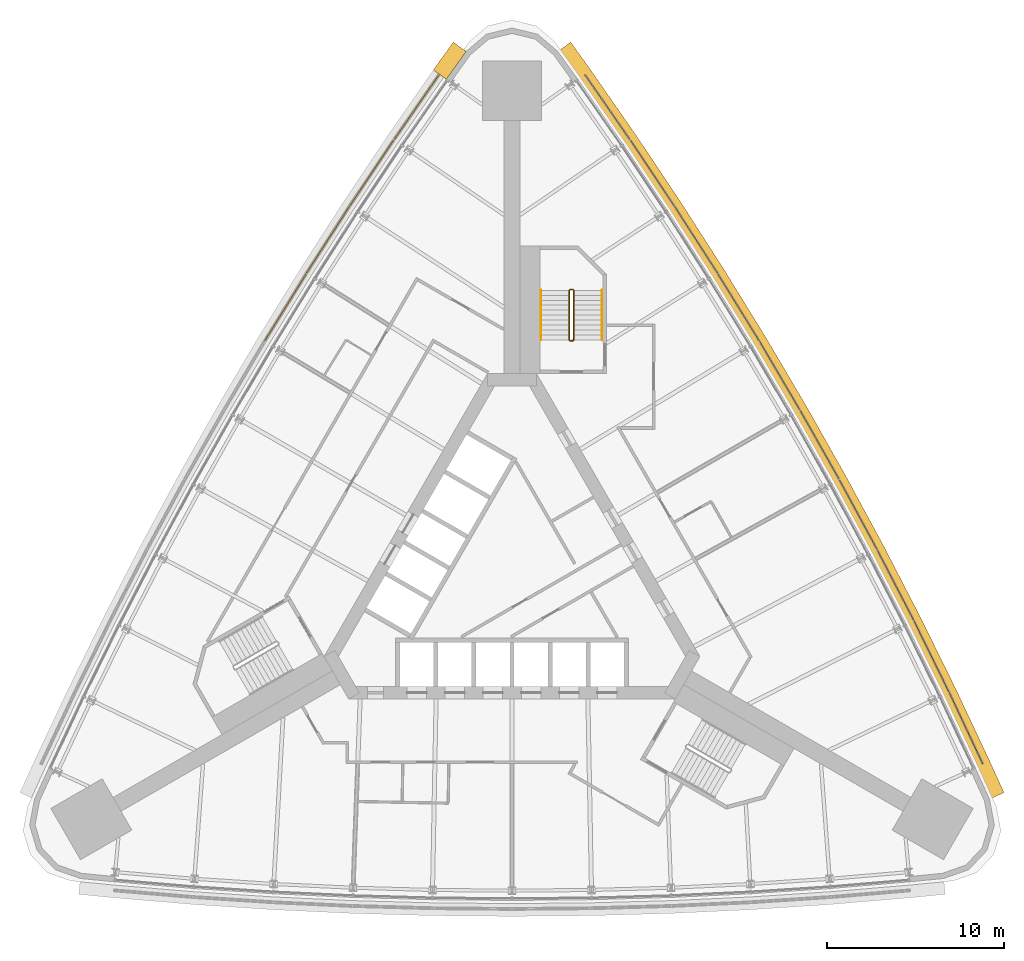
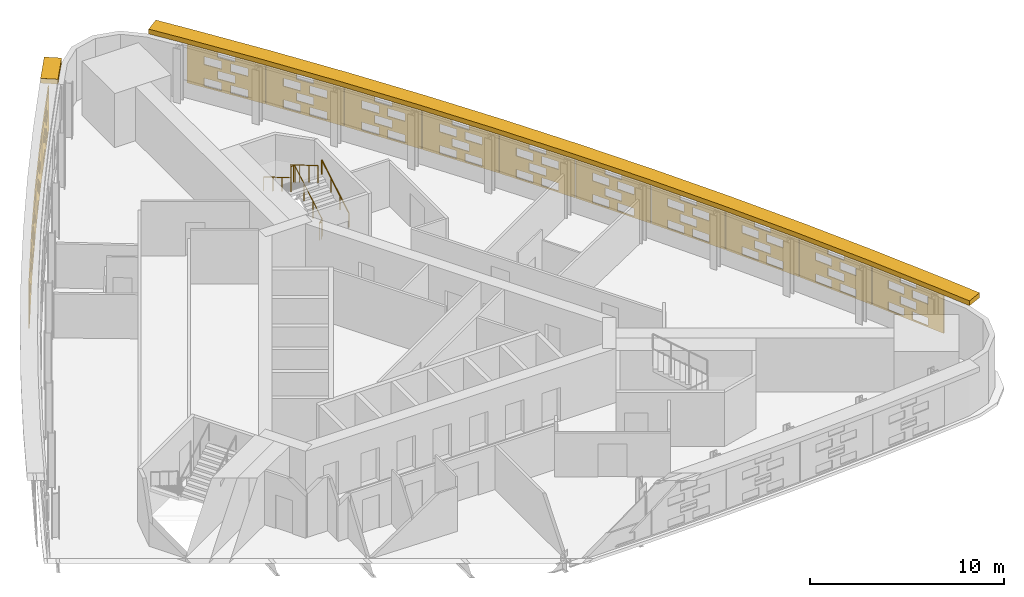
# One storey, part 14 of 14: 16 shading devices, 3 railings.
"""IFC4 building model written with IfcOpenShell, lengths in metres."""

from ifc_helpers import new_model, si_unit, direction, frame, origin, origin_2d, place, context, subcontext, project, spatial, polyline, circle, outline, extrude, material, material_profile, profile_set, type_object, element, save


model = new_model("IFC4")

# Units and contexts
model_context = context("Model", 3, precision=1e-05, world=origin(), true_north=direction((0.0, 1.0)))
body_context = subcontext(model_context, "Body", "Model", "MODEL_VIEW")
ifc_project = project(units=[si_unit("LENGTHUNIT", "METRE"), si_unit("AREAUNIT", "SQUARE_METRE"), si_unit("VOLUMEUNIT", "CUBIC_METRE"), si_unit("PLANEANGLEUNIT", "RADIAN"), si_unit("MASSUNIT", "GRAM", prefix="KILO")], contexts=[model_context])

# Site, building, storey
site_placement = place(None, origin())
site = spatial("IfcSite", under=ifc_project, at=site_placement, CompositionType="ELEMENT")
building_placement = place(site_placement, origin())
building = spatial("IfcBuilding", under=site, at=building_placement, Name="Noor Cloister Tower", CompositionType="ELEMENT")
storey_placement = place(building_placement, frame((0.0, 0.0, 34.800048828125)))
storey = spatial("IfcBuildingStorey", under=building, at=storey_placement, Name="L08", CompositionType="ELEMENT", Elevation=34.800048828125)

# Shading devices
ifc_material_1 = material(Name="Limestone", Category="masonry")
ifc_material_profile = material_profile(ifc_material_1, outline(polyline([(-2.22998046875, -1.35009765625), (2.22998046875, -1.35009765625), (2.22998046875, 1.35009765625), (-2.22998046875, 1.35009765625), (-2.22998046875, -1.35009765625)]), holes=[polyline([(-1.25, -1.263427734375), (-0.25, -1.263427734375), (-0.25, -0.76171875), (-1.25, -0.76171875), (-1.25, -1.263427734375)]), polyline([(0.25, -1.263427734375), (1.25, -1.263427734375), (1.25, -0.76171875), (0.25, -0.76171875), (0.25, -1.263427734375)]), polyline([(-0.5, -0.58837890625), (0.5, -0.58837890625), (0.5, -0.086669921875), (-0.5, -0.086669921875), (-0.5, -0.58837890625)]), polyline([(-1.25, 0.086669921875), (-0.25, 0.086669921875), (-0.25, 0.58837890625), (-1.25, 0.58837890625), (-1.25, 0.086669921875)]), polyline([(0.25, 0.086669921875), (1.25, 0.086669921875), (1.25, 0.58837890625), (0.25, 0.58837890625), (0.25, 0.086669921875)]), polyline([(-0.5, 0.76171875), (0.5, 0.76171875), (0.5, 1.263427734375), (-0.5, 1.263427734375), (-0.5, 0.76171875)])]), Name="Woven screen 25 percent open")
ifc_profile_set = profile_set([ifc_material_profile], Name="Limestone")
shading_device_type_1 = type_object("IfcShadingDeviceType", Name="SCREEN woven limestone 25 percent open", PredefinedType="USERDEFINED", material=ifc_profile_set)
shading_device_1_placement = place(storey_placement, frame((-5.36328125, 26.494384765625, 1.849853515625), z_axis=(-0.821899128607, 0.56963305943, 0.0), x_axis=(-0.56963305943, -0.821899128607, 0.0)))
element("IfcShadingDevice", 1, at=shading_device_1_placement, inside=storey, type_object=shading_device_type_1, Name="SCREEN L08 1", ObjectType="SCREEN", PredefinedType="USERDEFINED", context=body_context, shape_type="SweptSolid", body=[
    extrude(outline(polyline([(-2.22998046875, -1.35009765625), (2.22998046875, -1.35009765625), (2.22998046875, 1.35009765625), (-2.22998046875, 1.35009765625), (-2.22998046875, -1.35009765625)]), holes=[polyline([(-1.25, -1.263427734375), (-0.25, -1.263427734375), (-0.25, -0.76171875), (-1.25, -0.76171875), (-1.25, -1.263427734375)]), polyline([(0.25, -1.263427734375), (1.25, -1.263427734375), (1.25, -0.76171875), (0.25, -0.76171875), (0.25, -1.263427734375)]), polyline([(-0.5, -0.58837890625), (0.5, -0.58837890625), (0.5, -0.086669921875), (-0.5, -0.086669921875), (-0.5, -0.58837890625)]), polyline([(-1.25, 0.086669921875), (-0.25, 0.086669921875), (-0.25, 0.58837890625), (-1.25, 0.58837890625), (-1.25, 0.086669921875)]), polyline([(0.25, 0.086669921875), (1.25, 0.086669921875), (1.25, 0.58837890625), (0.25, 0.58837890625), (0.25, 0.086669921875)]), polyline([(-0.5, 0.76171875), (0.5, 0.76171875), (0.5, 1.263427734375), (-0.5, 1.263427734375), (-0.5, 0.76171875)])]), origin(), (0.0, 0.0, 1.0), 0.06005859375),
])
shading_device_2_placement = place(storey_placement, frame((-7.9033203125, 22.769775390625, 1.849853515625), z_axis=(-0.832050294338, 0.554700196225, 0.0), x_axis=(-0.554700196225, -0.832050294338, 0.0)))
element("IfcShadingDevice", 2, at=shading_device_2_placement, inside=storey, type_object=shading_device_type_1, Name="SCREEN L08 2", ObjectType="SCREEN", PredefinedType="USERDEFINED", context=body_context, shape_type="SweptSolid", body=[
    extrude(outline(polyline([(-2.22998046875, -1.35009765625), (2.22998046875, -1.35009765625), (2.22998046875, 1.35009765625), (-2.22998046875, 1.35009765625), (-2.22998046875, -1.35009765625)]), holes=[polyline([(-1.25, -1.263427734375), (-0.25, -1.263427734375), (-0.25, -0.76171875), (-1.25, -0.76171875), (-1.25, -1.263427734375)]), polyline([(0.25, -1.263427734375), (1.25, -1.263427734375), (1.25, -0.76171875), (0.25, -0.76171875), (0.25, -1.263427734375)]), polyline([(-0.5, -0.58837890625), (0.5, -0.58837890625), (0.5, -0.086669921875), (-0.5, -0.086669921875), (-0.5, -0.58837890625)]), polyline([(-1.25, 0.086669921875), (-0.25, 0.086669921875), (-0.25, 0.58837890625), (-1.25, 0.58837890625), (-1.25, 0.086669921875)]), polyline([(0.25, 0.086669921875), (1.25, 0.086669921875), (1.25, 0.58837890625), (0.25, 0.58837890625), (0.25, 0.086669921875)]), polyline([(-0.5, 0.76171875), (0.5, 0.76171875), (0.5, 1.263427734375), (-0.5, 1.263427734375), (-0.5, 0.76171875)])]), origin(), (0.0, 0.0, 1.0), 0.059814453125),
])
for number, where, z_axis, x_axis, name in (
    (3, (-10.373046875, 18.998291015625, 1.849853515625), (-0.841310503427, 0.540552159207, 0.0), (-0.540552159207, -0.841310503427, 0.0), "SCREEN L08 3"),
    (4, (-12.771728515625, 15.18115234375, 1.849853515625), (-0.850958576931, 0.525232805857, 0.0), (-0.525232805857, -0.850958576931, 0.0), "SCREEN L08 4"),
):
    element("IfcShadingDevice", number, at=place(storey_placement, frame(where, z_axis=z_axis, x_axis=x_axis)), inside=storey, type_object=shading_device_type_1, Name=name, ObjectType="SCREEN", PredefinedType="USERDEFINED", context=body_context, shape_type="SweptSolid", body=[
        extrude(outline(polyline([(-2.22998046875, -1.35009765625), (2.22998046875, -1.35009765625), (2.22998046875, 1.35009765625), (-2.22998046875, 1.35009765625), (-2.22998046875, -1.35009765625)]), holes=[polyline([(-1.25, -1.263427734375), (-0.25, -1.263427734375), (-0.25, -0.76171875), (-1.25, -0.76171875), (-1.25, -1.263427734375)]), polyline([(0.25, -1.263427734375), (1.25, -1.263427734375), (1.25, -0.76171875), (0.25, -0.76171875), (0.25, -1.263427734375)]), polyline([(-0.5, -0.58837890625), (0.5, -0.58837890625), (0.5, -0.086669921875), (-0.5, -0.086669921875), (-0.5, -0.58837890625)]), polyline([(-1.25, 0.086669921875), (-0.25, 0.086669921875), (-0.25, 0.58837890625), (-1.25, 0.58837890625), (-1.25, 0.086669921875)]), polyline([(0.25, 0.086669921875), (1.25, 0.086669921875), (1.25, 0.58837890625), (0.25, 0.58837890625), (0.25, 0.086669921875)]), polyline([(-0.5, 0.76171875), (0.5, 0.76171875), (0.5, 1.263427734375), (-0.5, 1.263427734375), (-0.5, 0.76171875)])]), origin(), (0.0, 0.0, 1.0), 0.06005859375),
    ])
for number, where, z_axis, x_axis, name in (
    (5, (25.62646484375, -8.602294921875, 1.849853515625), (0.905556888257, 0.424224848553, 0.0), (-0.424224848553, 0.905556888257, 0.0), "SCREEN L08 1"),
    (6, (23.6708984375, -4.540283203125, 1.849853515625), (0.897667610562, 0.440673190639, 0.0), (-0.440673190639, 0.897667610562, 0.0), "SCREEN L08 2"),
):
    element("IfcShadingDevice", number, at=place(storey_placement, frame(where, z_axis=z_axis, x_axis=x_axis)), inside=storey, type_object=shading_device_type_1, Name=name, ObjectType="SCREEN", PredefinedType="USERDEFINED", context=body_context, shape_type="SweptSolid", body=[
        extrude(outline(polyline([(-2.22998046875, -1.35009765625), (2.22998046875, -1.35009765625), (2.22998046875, 1.35009765625), (-2.22998046875, 1.35009765625), (-2.22998046875, -1.35009765625)]), holes=[polyline([(-1.25, -1.263427734375), (-0.25, -1.263427734375), (-0.25, -0.76171875), (-1.25, -0.76171875), (-1.25, -1.263427734375)]), polyline([(0.25, -1.263427734375), (1.25, -1.263427734375), (1.25, -0.76171875), (0.25, -0.76171875), (0.25, -1.263427734375)]), polyline([(-0.5, -0.58837890625), (0.5, -0.58837890625), (0.5, -0.086669921875), (-0.5, -0.086669921875), (-0.5, -0.58837890625)]), polyline([(-1.25, 0.086669921875), (-0.25, 0.086669921875), (-0.25, 0.58837890625), (-1.25, 0.58837890625), (-1.25, 0.086669921875)]), polyline([(0.25, 0.086669921875), (1.25, 0.086669921875), (1.25, 0.58837890625), (0.25, 0.58837890625), (0.25, 0.086669921875)]), polyline([(-0.5, 0.76171875), (0.5, 0.76171875), (0.5, 1.263427734375), (-0.5, 1.263427734375), (-0.5, 0.76171875)])]), origin(), (0.0, 0.0, 1.0), 0.059814453125),
    ])
for number, where, z_axis, x_axis, name in (
    (7, (21.6396484375, -0.515869140625, 1.849853515625), (0.887816162103, 0.460198285861, 0.0), (-0.460198285861, 0.887816162103, 0.0), "SCREEN L08 3"),
    (8, (19.533203125, 3.469970703125, 1.849853515625), (0.879291966537, 0.476283148541, 0.0), (-0.476283148541, 0.879291966537, 0.0), "SCREEN L08 4"),
    (9, (17.3525390625, 7.415771484375, 1.849853515625), (0.87048706901, 0.492191286683, 0.0), (-0.492191286683, 0.87048706901, 0.0), "SCREEN L08 5"),
):
    element("IfcShadingDevice", number, at=place(storey_placement, frame(where, z_axis=z_axis, x_axis=x_axis)), inside=storey, type_object=shading_device_type_1, Name=name, ObjectType="SCREEN", PredefinedType="USERDEFINED", context=body_context, shape_type="SweptSolid", body=[
        extrude(outline(polyline([(-2.22998046875, -1.35009765625), (2.22998046875, -1.35009765625), (2.22998046875, 1.35009765625), (-2.22998046875, 1.35009765625), (-2.22998046875, -1.35009765625)]), holes=[polyline([(-1.25, -1.263427734375), (-0.25, -1.263427734375), (-0.25, -0.76171875), (-1.25, -0.76171875), (-1.25, -1.263427734375)]), polyline([(0.25, -1.263427734375), (1.25, -1.263427734375), (1.25, -0.76171875), (0.25, -0.76171875), (0.25, -1.263427734375)]), polyline([(-0.5, -0.58837890625), (0.5, -0.58837890625), (0.5, -0.086669921875), (-0.5, -0.086669921875), (-0.5, -0.58837890625)]), polyline([(-1.25, 0.086669921875), (-0.25, 0.086669921875), (-0.25, 0.58837890625), (-1.25, 0.58837890625), (-1.25, 0.086669921875)]), polyline([(0.25, 0.086669921875), (1.25, 0.086669921875), (1.25, 0.58837890625), (0.25, 0.58837890625), (0.25, 0.086669921875)]), polyline([(-0.5, 0.76171875), (0.5, 0.76171875), (0.5, 1.263427734375), (-0.5, 1.263427734375), (-0.5, 0.76171875)])]), origin(), (0.0, 0.0, 1.0), 0.06005859375),
    ])
shading_device_3_placement = place(storey_placement, frame((15.0986328125, 11.320068359375, 1.849853515625), z_axis=(0.862144217858, 0.506662952675, 0.0), x_axis=(-0.506662952675, 0.862144217858, 0.0)))
element("IfcShadingDevice", 10, at=shading_device_3_placement, inside=storey, type_object=shading_device_type_1, Name="SCREEN L08 6", ObjectType="SCREEN", PredefinedType="USERDEFINED", context=body_context, shape_type="SweptSolid", body=[
    extrude(outline(polyline([(-2.22998046875, -1.35009765625), (2.22998046875, -1.35009765625), (2.22998046875, 1.35009765625), (-2.22998046875, 1.35009765625), (-2.22998046875, -1.35009765625)]), holes=[polyline([(-1.25, -1.263427734375), (-0.25, -1.263427734375), (-0.25, -0.76171875), (-1.25, -0.76171875), (-1.25, -1.263427734375)]), polyline([(0.25, -1.263427734375), (1.25, -1.263427734375), (1.25, -0.76171875), (0.25, -0.76171875), (0.25, -1.263427734375)]), polyline([(-0.5, -0.58837890625), (0.5, -0.58837890625), (0.5, -0.086669921875), (-0.5, -0.086669921875), (-0.5, -0.58837890625)]), polyline([(-1.25, 0.086669921875), (-0.25, 0.086669921875), (-0.25, 0.58837890625), (-1.25, 0.58837890625), (-1.25, 0.086669921875)]), polyline([(0.25, 0.086669921875), (1.25, 0.086669921875), (1.25, 0.58837890625), (0.25, 0.58837890625), (0.25, 0.086669921875)]), polyline([(-0.5, 0.76171875), (0.5, 0.76171875), (0.5, 1.263427734375), (-0.5, 1.263427734375), (-0.5, 0.76171875)])]), origin(), (0.0, 0.0, 1.0), 0.059814453125),
])
for number, where, z_axis, x_axis, name in (
    (11, (12.771728515625, 15.18115234375, 1.849853515625), (0.850958576931, 0.525232805857, 0.0), (-0.525232805857, 0.850958576931, 0.0), "SCREEN L08 7"),
    (12, (10.373046875, 18.998291015625, 1.849853515625), (0.841310503427, 0.540552159207, 0.0), (-0.540552159207, 0.841310503427, 0.0), "SCREEN L08 8"),
):
    element("IfcShadingDevice", number, at=place(storey_placement, frame(where, z_axis=z_axis, x_axis=x_axis)), inside=storey, type_object=shading_device_type_1, Name=name, ObjectType="SCREEN", PredefinedType="USERDEFINED", context=body_context, shape_type="SweptSolid", body=[
        extrude(outline(polyline([(-2.22998046875, -1.35009765625), (2.22998046875, -1.35009765625), (2.22998046875, 1.35009765625), (-2.22998046875, 1.35009765625), (-2.22998046875, -1.35009765625)]), holes=[polyline([(-1.25, -1.263427734375), (-0.25, -1.263427734375), (-0.25, -0.76171875), (-1.25, -0.76171875), (-1.25, -1.263427734375)]), polyline([(0.25, -1.263427734375), (1.25, -1.263427734375), (1.25, -0.76171875), (0.25, -0.76171875), (0.25, -1.263427734375)]), polyline([(-0.5, -0.58837890625), (0.5, -0.58837890625), (0.5, -0.086669921875), (-0.5, -0.086669921875), (-0.5, -0.58837890625)]), polyline([(-1.25, 0.086669921875), (-0.25, 0.086669921875), (-0.25, 0.58837890625), (-1.25, 0.58837890625), (-1.25, 0.086669921875)]), polyline([(0.25, 0.086669921875), (1.25, 0.086669921875), (1.25, 0.58837890625), (0.25, 0.58837890625), (0.25, 0.086669921875)]), polyline([(-0.5, 0.76171875), (0.5, 0.76171875), (0.5, 1.263427734375), (-0.5, 1.263427734375), (-0.5, 0.76171875)])]), origin(), (0.0, 0.0, 1.0), 0.06005859375),
    ])
shading_device_4_placement = place(storey_placement, frame((7.9033203125, 22.769775390625, 1.849853515625), z_axis=(0.832050294338, 0.554700196225, 0.0), x_axis=(-0.554700196225, 0.832050294338, 0.0)))
element("IfcShadingDevice", 13, at=shading_device_4_placement, inside=storey, type_object=shading_device_type_1, Name="SCREEN L08 9", ObjectType="SCREEN", PredefinedType="USERDEFINED", context=body_context, shape_type="SweptSolid", body=[
    extrude(outline(polyline([(-2.22998046875, -1.35009765625), (2.22998046875, -1.35009765625), (2.22998046875, 1.35009765625), (-2.22998046875, 1.35009765625), (-2.22998046875, -1.35009765625)]), holes=[polyline([(-1.25, -1.263427734375), (-0.25, -1.263427734375), (-0.25, -0.76171875), (-1.25, -0.76171875), (-1.25, -1.263427734375)]), polyline([(0.25, -1.263427734375), (1.25, -1.263427734375), (1.25, -0.76171875), (0.25, -0.76171875), (0.25, -1.263427734375)]), polyline([(-0.5, -0.58837890625), (0.5, -0.58837890625), (0.5, -0.086669921875), (-0.5, -0.086669921875), (-0.5, -0.58837890625)]), polyline([(-1.25, 0.086669921875), (-0.25, 0.086669921875), (-0.25, 0.58837890625), (-1.25, 0.58837890625), (-1.25, 0.086669921875)]), polyline([(0.25, 0.086669921875), (1.25, 0.086669921875), (1.25, 0.58837890625), (0.25, 0.58837890625), (0.25, 0.086669921875)]), polyline([(-0.5, 0.76171875), (0.5, 0.76171875), (0.5, 1.263427734375), (-0.5, 1.263427734375), (-0.5, 0.76171875)])]), origin(), (0.0, 0.0, 1.0), 0.059814453125),
])
shading_device_5_placement = place(storey_placement, frame((5.36328125, 26.494384765625, 1.849853515625), z_axis=(0.821899128607, 0.56963305943, 0.0), x_axis=(-0.56963305943, 0.821899128607, 0.0)))
element("IfcShadingDevice", 14, at=shading_device_5_placement, inside=storey, type_object=shading_device_type_1, Name="SCREEN L08 10", ObjectType="SCREEN", PredefinedType="USERDEFINED", context=body_context, shape_type="SweptSolid", body=[
    extrude(outline(polyline([(-2.22998046875, -1.35009765625), (2.22998046875, -1.35009765625), (2.22998046875, 1.35009765625), (-2.22998046875, 1.35009765625), (-2.22998046875, -1.35009765625)]), holes=[polyline([(-1.25, -1.263427734375), (-0.25, -1.263427734375), (-0.25, -0.76171875), (-1.25, -0.76171875), (-1.25, -1.263427734375)]), polyline([(0.25, -1.263427734375), (1.25, -1.263427734375), (1.25, -0.76171875), (0.25, -0.76171875), (0.25, -1.263427734375)]), polyline([(-0.5, -0.58837890625), (0.5, -0.58837890625), (0.5, -0.086669921875), (-0.5, -0.086669921875), (-0.5, -0.58837890625)]), polyline([(-1.25, 0.086669921875), (-0.25, 0.086669921875), (-0.25, 0.58837890625), (-1.25, 0.58837890625), (-1.25, 0.086669921875)]), polyline([(0.25, 0.086669921875), (1.25, 0.086669921875), (1.25, 0.58837890625), (0.25, 0.58837890625), (0.25, 0.086669921875)]), polyline([(-0.5, 0.76171875), (0.5, 0.76171875), (0.5, 1.263427734375), (-0.5, 1.263427734375), (-0.5, 0.76171875)])]), origin(), (0.0, 0.0, 1.0), 0.06005859375),
])
ifc_material_2 = material(Name="Limestone", Category="masonry")
shading_device_type_2 = type_object("IfcShadingDeviceType", Name="SUNSHADE limestone band 900", PredefinedType="USERDEFINED", material=ifc_material_2)
shading_device_6_placement = place(storey_placement, frame((0.0, 0.0, 3.300048828125)))
element("IfcShadingDevice", 15, at=shading_device_6_placement, inside=storey, type_object=shading_device_type_2, Name="SUNSHADE L08 3", ObjectType="SUNSHADE", PredefinedType="USERDEFINED", context=body_context, shape_type="SweptSolid", body=[
    extrude(outline(polyline([(27.79248046875, -12.21435546875), (26.9931640625, -10.45263671875), (25.072998046875, -6.366943359375), (23.07568359375, -2.31591796875), (21.0029296875, 1.697265625), (18.855224609375, 5.6708984375), (16.633544921875, 9.603515625), (14.338623046875, 13.49365234375), (11.971435546875, 17.34033203125), (9.5322265625, 21.14208984375), (7.0224609375, 24.8974609375), (4.4443359375, 28.60302734375), (3.318359375, 30.17626953125), (2.58642578125, 29.65234375), (3.708984375, 28.084228515625), (6.279052734375, 24.390380859375), (8.779296875, 20.64892578125), (11.209228515625, 16.861572265625), (13.56787109375, 13.029296875), (15.854248046875, 9.1533203125), (18.067626953125, 5.2353515625), (20.207275390625, 1.27685546875), (22.272216796875, -2.721435546875), (24.26220703125, -6.75732421875), (26.176025390625, -10.830078125), (26.972900390625, -12.586181640625), (27.79248046875, -12.21435546875)])), origin(), (0.0, 0.0, 1.0), 0.2998046875),
])
shading_device_7_placement = place(storey_placement, frame((0.0, 0.0, 3.300048828125)))
element("IfcShadingDevice", 16, at=shading_device_7_placement, inside=storey, type_object=shading_device_type_2, Name="SUNSHADE L08 4", ObjectType="SUNSHADE", PredefinedType="USERDEFINED", context=body_context, shape_type="SweptSolid", body=[
    extrude(outline(polyline([(-3.318359375, 30.17626953125), (-4.44091796875, 28.608154296875), (-3.708984375, 28.084228515625), (-2.58642578125, 29.65234375), (-3.318359375, 30.17626953125)])), origin(), (0.0, 0.0, 1.0), 0.2998046875),
])

# Railings
ifc_material_3 = material(Name="Stainless steel", Category="steel")
railing_type_1 = type_object("IfcRailingType", Name="Stair guard 1100", PredefinedType="GUARDRAIL", material=ifc_material_3)
railing_1_placement = place(storey_placement, frame((3.435546875, 13.306396484375, 0.0)))
element("IfcRailing", 17, at=railing_1_placement, inside=storey, type_object=railing_type_1, Name="Stair guard ST1 L08", PredefinedType="GUARDRAIL", context=body_context, shape_type="SweptSolid", body=[
    extrude(circle(Radius=0.02392578125, at=origin_2d()), frame((0.0, 0.0, 1.076171875), z_axis=(-1.0, 0.0, 0.0), x_axis=(0.0, -1.0, 0.0)), (0.0, 0.0, 1.0), 0.14990234375),
    extrude(circle(Radius=0.02392578125, at=origin_2d()), frame((-0.14990234375, 0.0, 1.076171875), z_axis=(0.759870394187, 0.190199549216, 0.621627795), x_axis=(-0.242814311512, 0.970072785993, 0.0)), (0.0, 0.0, 1.0), 0.26318359375),
    extrude(circle(Radius=0.02392578125, at=origin_2d()), frame((0.050048828125, 0.050048828125, 1.23974609375), z_axis=(0.0, 0.863360870873, 0.504586966384), x_axis=(-1.0, 0.0, 0.0)), (0.0, 0.0, 1.0), 3.2431640625),
    extrude(circle(Radius=0.02392578125, at=origin_2d()), frame((0.050048828125, 2.85009765625, 2.8759765625), z_axis=(-0.708833529934, 0.705375805398, 0.0), x_axis=(-0.705375805398, -0.708833529934, 0.0)), (0.0, 0.0, 1.0), 0.070556640625),
    extrude(circle(Radius=0.02392578125, at=origin_2d()), frame((0.0, 2.89990234375, 2.8759765625), z_axis=(-1.0, 0.0, 0.0), x_axis=(0.0, -1.0, 0.0)), (0.0, 0.0, 1.0), 0.14990234375),
    extrude(circle(Radius=0.02392578125, at=origin_2d()), frame((-0.14990234375, 2.89990234375, 2.8759765625), z_axis=(-0.280916556609, -0.279546231943, 0.91811752648), x_axis=(0.705375805398, -0.708833529934, 0.0)), (0.0, 0.0, 1.0), 0.17822265625),
    extrude(circle(Radius=0.02392578125, at=origin_2d()), frame((-0.199951171875, 2.85009765625, 3.03955078125), z_axis=(0.0, -0.863393664356, 0.504530851732), x_axis=(1.0, 0.0, 0.0)), (0.0, 0.0, 1.0), 3.2431640625),
    extrude(circle(Radius=0.02099609375, at=origin_2d()), origin(), (0.0, 0.0, 1.0), 1.052001953125),
    extrude(circle(Radius=0.02099609375, at=origin_2d()), frame((-0.14990234375, 0.0, 0.0)), (0.0, 0.0, 1.0), 1.052001953125),
    extrude(circle(Radius=0.02099609375, at=origin_2d()), frame((0.050048828125, 0.050048828125, 0.16357421875)), (0.0, 0.0, 1.0), 1.052001953125),
    extrude(circle(Radius=0.02099609375, at=origin_2d()), frame((0.050048828125, 0.9833984375, 0.708984375)), (0.0, 0.0, 1.0), 1.052001953125),
    extrude(circle(Radius=0.02099609375, at=origin_2d()), frame((0.050048828125, 1.916748046875, 1.254638671875)), (0.0, 0.0, 1.0), 1.052001953125),
    extrude(circle(Radius=0.02099609375, at=origin_2d()), frame((0.050048828125, 2.85009765625, 1.800048828125)), (0.0, 0.0, 1.0), 1.052001953125),
    extrude(circle(Radius=0.02099609375, at=origin_2d()), frame((0.0, 2.89990234375, 1.800048828125)), (0.0, 0.0, 1.0), 1.052001953125),
    extrude(circle(Radius=0.02099609375, at=origin_2d()), frame((-0.14990234375, 2.89990234375, 1.800048828125)), (0.0, 0.0, 1.0), 1.052001953125),
    extrude(circle(Radius=0.02099609375, at=origin_2d()), frame((-0.199951171875, 2.85009765625, 1.963623046875)), (0.0, 0.0, 1.0), 1.052001953125),
    extrude(circle(Radius=0.02099609375, at=origin_2d()), frame((-0.199951171875, 1.916748046875, 2.509033203125)), (0.0, 0.0, 1.0), 1.052001953125),
    extrude(circle(Radius=0.02099609375, at=origin_2d()), frame((-0.199951171875, 0.9833984375, 3.054443359375)), (0.0, 0.0, 1.0), 1.052001953125),
    extrude(circle(Radius=0.02099609375, at=origin_2d()), frame((-0.199951171875, 0.050048828125, 3.599853515625)), (0.0, 0.0, 1.0), 1.052001953125),
])
ifc_material_4 = material(Name="Stainless steel", Category="steel")
railing_type_2 = type_object("IfcRailingType", Name="Stair handrail 900", PredefinedType="HANDRAIL", material=ifc_material_4)
railing_2_placement = place(storey_placement, frame((5.085693359375, 13.3564453125, 0.16357421875)))
element("IfcRailing", 18, at=railing_2_placement, inside=storey, type_object=railing_type_2, Name="Stair handrail ST1 L08 1", PredefinedType="HANDRAIL", context=body_context, shape_type="SweptSolid", body=[
    extrude(circle(Radius=0.02392578125, at=origin_2d()), frame((0.0, 0.0, 0.8759765625), z_axis=(0.0, 0.863360870873, 0.504586966384), x_axis=(-1.0, 0.0, 0.0)), (0.0, 0.0, 1.0), 3.2431640625),
    extrude(circle(Radius=0.02099609375, at=origin_2d()), origin(), (0.0, 0.0, 1.0), 0.851806640625),
    extrude(circle(Radius=0.02099609375, at=origin_2d()), frame((0.0, 0.933349609375, 0.54541015625)), (0.0, 0.0, 1.0), 0.851806640625),
    extrude(circle(Radius=0.02099609375, at=origin_2d()), frame((0.0, 1.86669921875, 1.091064453125)), (0.0, 0.0, 1.0), 0.851806640625),
    extrude(circle(Radius=0.02099609375, at=origin_2d()), frame((0.0, 2.800048828125, 1.636474609375)), (0.0, 0.0, 1.0), 0.851806640625),
])
railing_3_placement = place(storey_placement, frame((1.6357421875, 16.156494140625, 1.963623046875)))
element("IfcRailing", 19, at=railing_3_placement, inside=storey, type_object=railing_type_2, Name="Stair handrail ST1 L08 2", PredefinedType="HANDRAIL", context=body_context, shape_type="SweptSolid", body=[
    extrude(circle(Radius=0.02392578125, at=origin_2d()), frame((0.0, 0.0, 0.8759765625), z_axis=(0.0, -0.863393664356, 0.504530851732), x_axis=(1.0, 0.0, 0.0)), (0.0, 0.0, 1.0), 3.2431640625),
    extrude(circle(Radius=0.02099609375, at=origin_2d()), origin(), (0.0, 0.0, 1.0), 0.851806640625),
    extrude(circle(Radius=0.02099609375, at=origin_2d()), frame((0.0, -0.933349609375, 0.54541015625)), (0.0, 0.0, 1.0), 0.851806640625),
    extrude(circle(Radius=0.02099609375, at=origin_2d()), frame((0.0, -1.86669921875, 1.0908203125)), (0.0, 0.0, 1.0), 0.851806640625),
    extrude(circle(Radius=0.02099609375, at=origin_2d()), frame((0.0, -2.800048828125, 1.63623046875)), (0.0, 0.0, 1.0), 0.851806640625),
])

save(model, "model.ifc")
